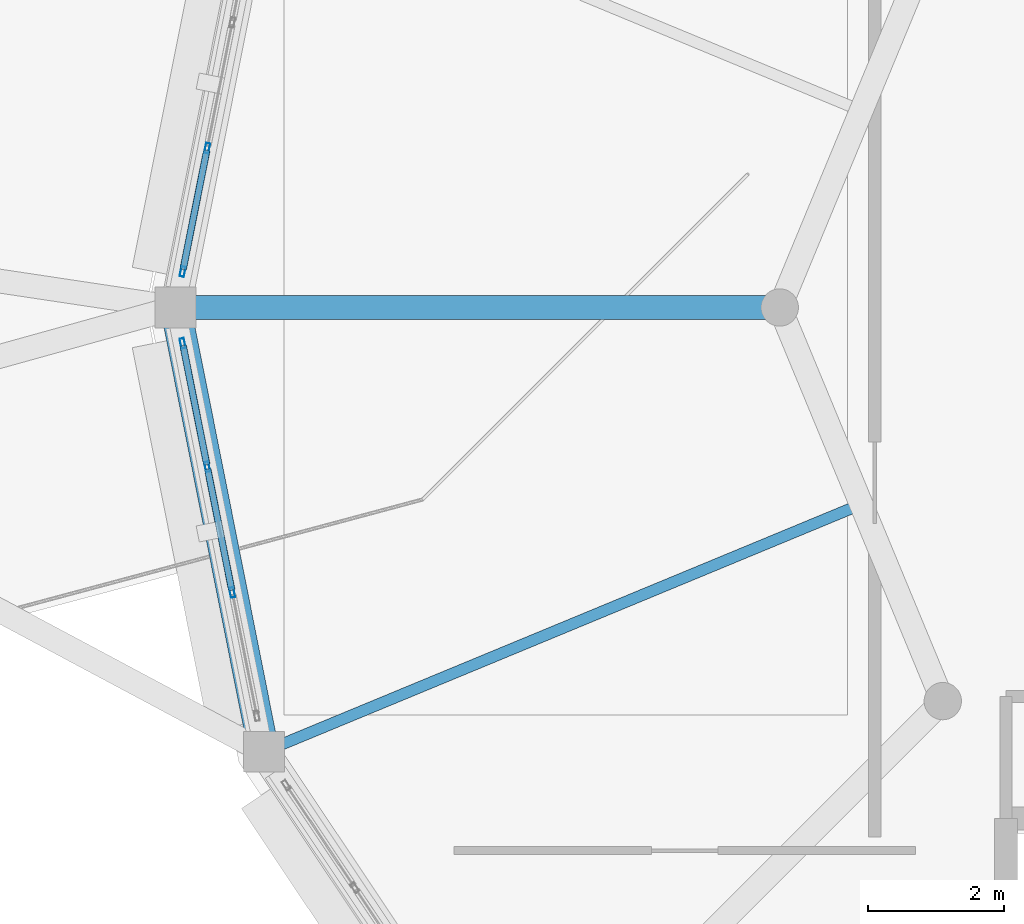
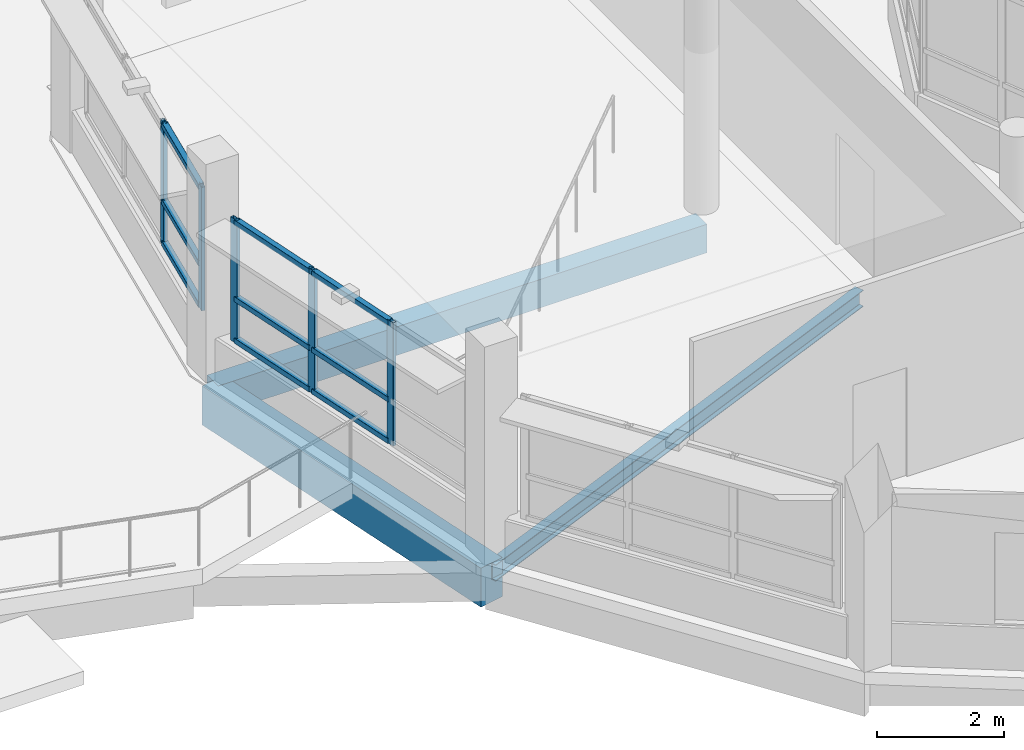
# One storey, part 39 of 128: 14 members, 3 beams, 2 elements without a shape of their own.
"""IFC4 building model written with IfcOpenShell, lengths in metres."""

from ifc_helpers import new_model, si_unit, direction, frame, origin, origin_2d, place, context, subcontext, project, spatial, rectangle, hollow_rectangle, i_section, extrude, material, layer, layer_set, material_profile, profile_set, type_object, element, aggregate, save


model = new_model("IFC4")

# Units and contexts
model_context = context("Model", 3, precision=1e-05, world=origin(), true_north=direction((0.0, 1.0)))
body_context = subcontext(model_context, "Body", "Model", "MODEL_VIEW")
ifc_project = project(units=[si_unit("LENGTHUNIT", "METRE"), si_unit("AREAUNIT", "SQUARE_METRE"), si_unit("VOLUMEUNIT", "CUBIC_METRE"), si_unit("PLANEANGLEUNIT", "RADIAN"), si_unit("MASSUNIT", "GRAM", prefix="KILO")], contexts=[model_context])

# Site, building, storey
site_placement = place(None, origin())
site = spatial("IfcSite", under=ifc_project, at=site_placement, CompositionType="ELEMENT")
building_placement = place(site_placement, origin())
building = spatial("IfcBuilding", under=site, at=building_placement, Name="Vespera Passage Community Centre", CompositionType="ELEMENT")
storey_placement = place(building_placement, frame((0.0, 0.0, 4.5)))
storey = spatial("IfcBuildingStorey", under=building, at=storey_placement, Name="L01", CompositionType="ELEMENT", Elevation=4.5)

# Beams
ifc_material_1 = material(Name="Concrete f'c 35 MPa", Category="concrete")
ifc_material_profile_1 = material_profile(ifc_material_1, rectangle(XDim=0.35009765625, YDim=0.550048828125, at=origin_2d()), Name="RC350X550")
ifc_profile_set_1 = profile_set([ifc_material_profile_1], Name="Concrete f'c 35 MPa")
beam_type_1 = type_object("IfcBeamType", Name="BM-J-350X550", PredefinedType="JOIST", material=ifc_profile_set_1)
beam_1_placement = place(storey_placement, frame((132.800048828125, 25.0, -0.514892578125), z_axis=(-1.0, 0.0, 0.0), x_axis=(0.0, -1.0, 0.0)))
element("IfcBeam", 1, at=beam_1_placement, inside=storey, type_object=beam_type_1, Name="V3 L01 Radial Girder 5", PredefinedType="JOIST", context=body_context, shape_type="SweptSolid", body=[
    extrude(rectangle(XDim=0.35009765625, YDim=0.550048828125, at=origin_2d()), origin(), (0.0, 0.0, 1.0), 8.900146484375),
])
ifc_material_2 = material(Name="Steel ASTM A992 Grade 50", Category="steel")
ifc_material_profile_2 = material_profile(ifc_material_2, i_section(OverallWidth=0.16650390625, OverallDepth=0.3173828125, WebThickness=0.007568359375, FlangeThickness=0.01318359375, FilletRadius=0.007568359375, at=origin_2d()), Name="W12X35")
ifc_profile_set_2 = profile_set([ifc_material_profile_2], Name="Steel ASTM A992 Grade 50")
beam_type_2 = type_object("IfcBeamType", Name="BM-J-W12X35", PredefinedType="JOIST", material=ifc_profile_set_2)
beam_2_placement = place(storey_placement, frame((134.0009765625, 22.100830078125, -0.398681640625), z_axis=(-0.923880304795, -0.382681567901, 0.0), x_axis=(0.382681567901, -0.923880304795, 0.0)))
element("IfcBeam", 2, at=beam_2_placement, inside=storey, type_object=beam_type_2, Name="V3 L01 Secondary Joist 5", PredefinedType="JOIST", context=body_context, shape_type="SweptSolid", body=[
    extrude(i_section(OverallWidth=0.16650390625, OverallDepth=0.3173828125, WebThickness=0.007568359375, FlangeThickness=0.01318359375, FilletRadius=0.007568359375, at=origin_2d()), origin(), (0.0, 0.0, 1.0), 9.5244140625),
])
ifc_material_3 = material(Name="Concrete f'c 35 MPa", Category="concrete")
ifc_material_profile_3 = material_profile(ifc_material_3, rectangle(XDim=0.449951171875, YDim=0.75, at=origin_2d()), Name="RC450X750")
ifc_profile_set_3 = profile_set([ifc_material_profile_3], Name="Concrete f'c 35 MPa")
beam_type_3 = type_object("IfcBeamType", Name="BM-SP-450X750E", PredefinedType="SPANDREL", material=ifc_profile_set_3)
beam_3_placement = place(storey_placement, frame((123.89990234375, 25.0, -0.614990234375), z_axis=(0.195102743632, -0.980782809509, 0.0), x_axis=(0.980782809509, 0.195102743632, 0.0)))
element("IfcBeam", 3, at=beam_3_placement, inside=storey, type_object=beam_type_3, Name="V3 L01 Spandrel 9", PredefinedType="SPANDREL", context=body_context, shape_type="SweptSolid", body=[
    extrude(rectangle(XDim=0.449951171875, YDim=0.75, at=origin_2d()), origin(), (0.0, 0.0, 1.0), 6.672119140625),
])

# Curtain wall, members
ifc_material_4 = material(Name="Anodized aluminium 6063-T6", Category="aluminium")
ifc_layer = layer(ifc_material_4, 0.159912109375)
ifc_layer_set = layer_set([ifc_layer], Name="Anodized aluminium 6063-T6")
curtain_wall_type = type_object("IfcCurtainWallType", Name="CW-105E", PredefinedType="NOTDEFINED", material=ifc_layer_set)
curtain_wall_1_placement = place(storey_placement, origin())
curtain_wall_1 = element("IfcCurtainWall", 4, at=curtain_wall_1_placement, inside=storey, type_object=curtain_wall_type, Name="Dining Drum Ribbon Curtain Wall L01.8", PredefinedType="NOTDEFINED")
ifc_material_5 = material(Name="Anodized aluminium 6063-T6", Category="aluminium")
ifc_material_profile_4 = material_profile(ifc_material_5, hollow_rectangle(XDim=0.06494140625, YDim=0.14990234375, WallThickness=0.00390625, InnerFilletRadius=0.001953125, OuterFilletRadius=0.00390625, at=origin_2d()), Name="ALU150X65X4")
ifc_profile_set_4 = profile_set([ifc_material_profile_4], Name="Anodized aluminium 6063-T6")
member_type_1 = type_object("IfcMemberType", Name="MB-CWM-150E", PredefinedType="MULLION", material=ifc_profile_set_4)
member_1_placement = place(storey_placement, frame((124.005126953125, 25.528076171875, 0.800048828125), z_axis=(0.0, 0.0, 1.0), x_axis=(-0.980783996069, 0.195096778691, 0.0)))
member_1 = element("IfcMember", 5, at=member_1_placement, type_object=member_type_1, Name="CW-105E mullion 1", PredefinedType="MULLION", context=body_context, shape_type="SweptSolid", body=[
    extrude(hollow_rectangle(XDim=0.06494140625, YDim=0.14990234375, WallThickness=0.00390625, InnerFilletRadius=0.001953125, OuterFilletRadius=0.00390625, at=origin_2d()), origin(), (0.0, 0.0, 1.0), 2.375),
])
member_2_placement = place(storey_placement, frame((124.36669921875, 27.3466796875, 0.800048828125), z_axis=(0.0, 0.0, 1.0), x_axis=(-0.980783996069, 0.195096778691, 0.0)))
member_2 = element("IfcMember", 6, at=member_2_placement, type_object=member_type_1, Name="CW-105E mullion 2", PredefinedType="MULLION", context=body_context, shape_type="SweptSolid", body=[
    extrude(hollow_rectangle(XDim=0.06494140625, YDim=0.14990234375, WallThickness=0.00390625, InnerFilletRadius=0.001953125, OuterFilletRadius=0.00390625, at=origin_2d()), origin(), (0.0, 0.0, 1.0), 2.375),
])

curtain_wall_2_placement = place(storey_placement, origin())
curtain_wall_2 = element("IfcCurtainWall", 7, at=curtain_wall_2_placement, inside=storey, type_object=curtain_wall_type, Name="Dining Drum Ribbon Curtain Wall L01.9", PredefinedType="NOTDEFINED")
member_3_placement = place(storey_placement, frame((124.73486328125, 20.802734375, 0.800048828125), z_axis=(0.0, 0.0, 1.0), x_axis=(-0.980783996069, -0.195096778691, 0.0)))
member_3 = element("IfcMember", 8, at=member_3_placement, type_object=member_type_1, Name="CW-105E mullion 2", PredefinedType="MULLION", context=body_context, shape_type="SweptSolid", body=[
    extrude(hollow_rectangle(XDim=0.06494140625, YDim=0.14990234375, WallThickness=0.00390625, InnerFilletRadius=0.001953125, OuterFilletRadius=0.00390625, at=origin_2d()), origin(), (0.0, 0.0, 1.0), 2.375),
])
member_4_placement = place(storey_placement, frame((124.36669921875, 22.6533203125, 0.800048828125), z_axis=(0.0, 0.0, 1.0), x_axis=(-0.980783996069, -0.195096778691, 0.0)))
member_4 = element("IfcMember", 9, at=member_4_placement, type_object=member_type_1, Name="CW-105E mullion 3", PredefinedType="MULLION", context=body_context, shape_type="SweptSolid", body=[
    extrude(hollow_rectangle(XDim=0.06494140625, YDim=0.14990234375, WallThickness=0.00390625, InnerFilletRadius=0.001953125, OuterFilletRadius=0.00390625, at=origin_2d()), origin(), (0.0, 0.0, 1.0), 2.375),
])
member_5_placement = place(storey_placement, frame((124.005126953125, 24.471923828125, 0.800048828125), z_axis=(0.0, 0.0, 1.0), x_axis=(-0.980783996069, -0.195096778691, 0.0)))
member_5 = element("IfcMember", 10, at=member_5_placement, type_object=member_type_1, Name="CW-105E mullion 4", PredefinedType="MULLION", context=body_context, shape_type="SweptSolid", body=[
    extrude(hollow_rectangle(XDim=0.06494140625, YDim=0.14990234375, WallThickness=0.00390625, InnerFilletRadius=0.001953125, OuterFilletRadius=0.00390625, at=origin_2d()), origin(), (0.0, 0.0, 1.0), 2.375),
])

# Member
ifc_material_6 = material(Name="Anodized aluminium 6063-T6", Category="aluminium")
ifc_material_profile_5 = material_profile(ifc_material_6, hollow_rectangle(XDim=0.10009765625, YDim=0.10009765625, WallThickness=0.00390625, InnerFilletRadius=0.001953125, OuterFilletRadius=0.00390625, at=origin_2d()), Name="ALU100X100X4")
ifc_profile_set_5 = profile_set([ifc_material_profile_5], Name="Anodized aluminium 6063-T6")
member_type_2 = type_object("IfcMemberType", Name="MB-CWT-100E", PredefinedType="USERDEFINED", material=ifc_profile_set_5)
member_6_placement = place(storey_placement, frame((124.011474609375, 25.56005859375, 0.85009765625), z_axis=(0.194987665203, 0.980805694528, 0.0), x_axis=(-0.980805694528, 0.194987665203, 0.0)))
member_6 = element("IfcMember", 11, at=member_6_placement, type_object=member_type_2, Name="CW-105E transom 1.1", ObjectType="TRANSOM", PredefinedType="USERDEFINED", context=body_context, shape_type="SweptSolid", body=[
    extrude(hollow_rectangle(XDim=0.10009765625, YDim=0.10009765625, WallThickness=0.00390625, InnerFilletRadius=0.001953125, OuterFilletRadius=0.00390625, at=origin_2d()), origin(), (0.0, 0.0, 1.0), 1.789306640625),
])

member_7_placement = place(storey_placement, frame((124.011474609375, 25.56005859375, 1.64990234375), z_axis=(0.194987665203, 0.980805694528, 0.0), x_axis=(-0.980805694528, 0.194987665203, 0.0)))
member_7 = element("IfcMember", 12, at=member_7_placement, type_object=member_type_2, Name="CW-105E transom 1.2", ObjectType="TRANSOM", PredefinedType="USERDEFINED", context=body_context, shape_type="SweptSolid", body=[
    extrude(hollow_rectangle(XDim=0.10009765625, YDim=0.10009765625, WallThickness=0.00390625, InnerFilletRadius=0.001953125, OuterFilletRadius=0.00390625, at=origin_2d()), origin(), (0.0, 0.0, 1.0), 1.789306640625),
])

member_8_placement = place(storey_placement, frame((124.011474609375, 25.56005859375, 3.125), z_axis=(0.194987665203, 0.980805694528, 0.0), x_axis=(-0.980805694528, 0.194987665203, 0.0)))
member_8 = element("IfcMember", 13, at=member_8_placement, type_object=member_type_2, Name="CW-105E transom 1.3", ObjectType="TRANSOM", PredefinedType="USERDEFINED", context=body_context, shape_type="SweptSolid", body=[
    extrude(hollow_rectangle(XDim=0.10009765625, YDim=0.10009765625, WallThickness=0.00390625, InnerFilletRadius=0.001953125, OuterFilletRadius=0.00390625, at=origin_2d()), origin(), (0.0, 0.0, 1.0), 1.789306640625),
])

aggregate(curtain_wall_1, [member_1, member_2, member_6, member_7, member_8])

member_9_placement = place(storey_placement, frame((124.728515625, 20.834716796875, 0.85009765625), z_axis=(-0.195136642714, 0.980776065507, 0.0), x_axis=(-0.980776065507, -0.195136642714, 0.0)))
member_9 = element("IfcMember", 14, at=member_9_placement, type_object=member_type_2, Name="CW-105E transom 2.1", ObjectType="TRANSOM", PredefinedType="USERDEFINED", context=body_context, shape_type="SweptSolid", body=[
    extrude(hollow_rectangle(XDim=0.10009765625, YDim=0.10009765625, WallThickness=0.00390625, InnerFilletRadius=0.001953125, OuterFilletRadius=0.00390625, at=origin_2d()), origin(), (0.0, 0.0, 1.0), 1.821533203125),
])

member_10_placement = place(storey_placement, frame((124.728515625, 20.834716796875, 1.64990234375), z_axis=(-0.195136642714, 0.980776065507, 0.0), x_axis=(-0.980776065507, -0.195136642714, 0.0)))
member_10 = element("IfcMember", 15, at=member_10_placement, type_object=member_type_2, Name="CW-105E transom 2.2", ObjectType="TRANSOM", PredefinedType="USERDEFINED", context=body_context, shape_type="SweptSolid", body=[
    extrude(hollow_rectangle(XDim=0.10009765625, YDim=0.10009765625, WallThickness=0.00390625, InnerFilletRadius=0.001953125, OuterFilletRadius=0.00390625, at=origin_2d()), origin(), (0.0, 0.0, 1.0), 1.821533203125),
])

member_11_placement = place(storey_placement, frame((124.728515625, 20.834716796875, 3.125), z_axis=(-0.195136642714, 0.980776065507, 0.0), x_axis=(-0.980776065507, -0.195136642714, 0.0)))
member_11 = element("IfcMember", 16, at=member_11_placement, type_object=member_type_2, Name="CW-105E transom 2.3", ObjectType="TRANSOM", PredefinedType="USERDEFINED", context=body_context, shape_type="SweptSolid", body=[
    extrude(hollow_rectangle(XDim=0.10009765625, YDim=0.10009765625, WallThickness=0.00390625, InnerFilletRadius=0.001953125, OuterFilletRadius=0.00390625, at=origin_2d()), origin(), (0.0, 0.0, 1.0), 1.821533203125),
])

member_12_placement = place(storey_placement, frame((124.3603515625, 22.68505859375, 0.85009765625), z_axis=(-0.194987665203, 0.980805694528, 0.0), x_axis=(-0.980805694528, -0.194987665203, 0.0)))
member_12 = element("IfcMember", 17, at=member_12_placement, type_object=member_type_2, Name="CW-105E transom 3.1", ObjectType="TRANSOM", PredefinedType="USERDEFINED", context=body_context, shape_type="SweptSolid", body=[
    extrude(hollow_rectangle(XDim=0.10009765625, YDim=0.10009765625, WallThickness=0.00390625, InnerFilletRadius=0.001953125, OuterFilletRadius=0.00390625, at=origin_2d()), origin(), (0.0, 0.0, 1.0), 1.789306640625),
])

member_13_placement = place(storey_placement, frame((124.3603515625, 22.68505859375, 1.64990234375), z_axis=(-0.194987665203, 0.980805694528, 0.0), x_axis=(-0.980805694528, -0.194987665203, 0.0)))
member_13 = element("IfcMember", 18, at=member_13_placement, type_object=member_type_2, Name="CW-105E transom 3.2", ObjectType="TRANSOM", PredefinedType="USERDEFINED", context=body_context, shape_type="SweptSolid", body=[
    extrude(hollow_rectangle(XDim=0.10009765625, YDim=0.10009765625, WallThickness=0.00390625, InnerFilletRadius=0.001953125, OuterFilletRadius=0.00390625, at=origin_2d()), origin(), (0.0, 0.0, 1.0), 1.789306640625),
])

member_14_placement = place(storey_placement, frame((124.3603515625, 22.68505859375, 3.125), z_axis=(-0.194987665203, 0.980805694528, 0.0), x_axis=(-0.980805694528, -0.194987665203, 0.0)))
member_14 = element("IfcMember", 19, at=member_14_placement, type_object=member_type_2, Name="CW-105E transom 3.3", ObjectType="TRANSOM", PredefinedType="USERDEFINED", context=body_context, shape_type="SweptSolid", body=[
    extrude(hollow_rectangle(XDim=0.10009765625, YDim=0.10009765625, WallThickness=0.00390625, InnerFilletRadius=0.001953125, OuterFilletRadius=0.00390625, at=origin_2d()), origin(), (0.0, 0.0, 1.0), 1.789306640625),
])

aggregate(curtain_wall_2, [member_3, member_4, member_5, member_9, member_10, member_11, member_12, member_13, member_14])

save(model, "model.ifc")
